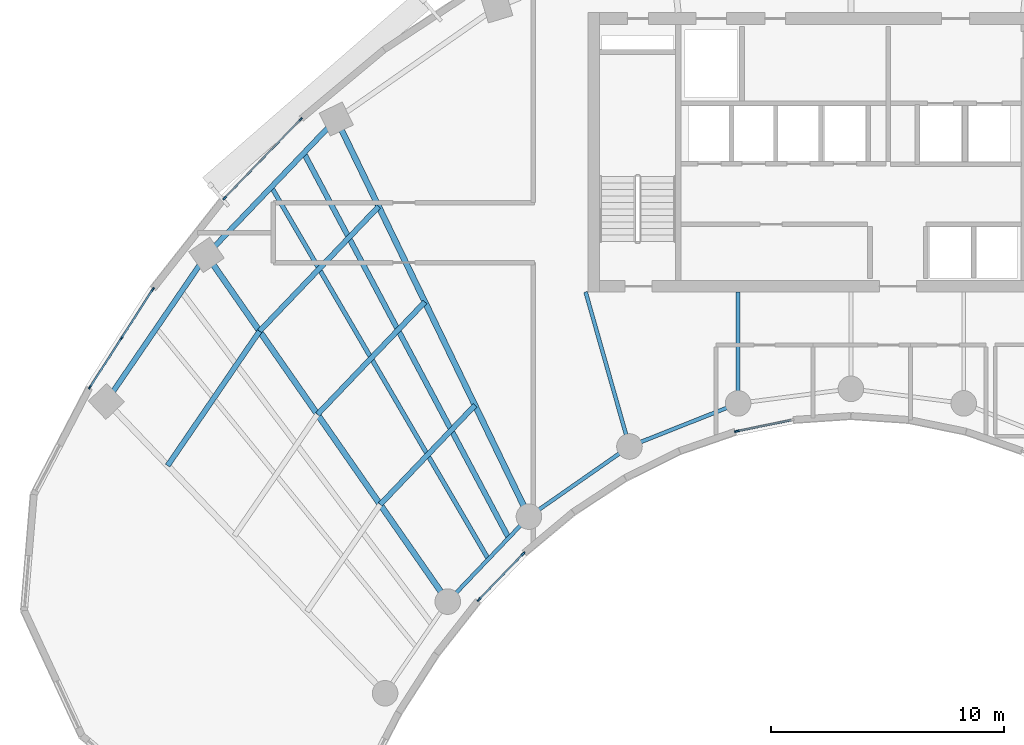
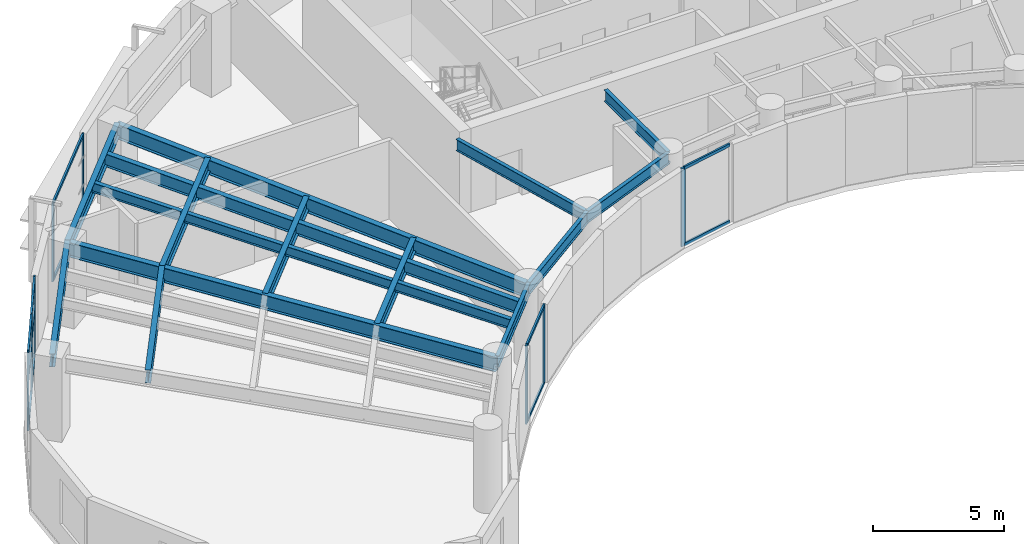
# One storey, part 2 of 13: 20 members, 15 beams, 4 elements without a shape of their own.
"""IFC4 building model written with IfcOpenShell, lengths in metres."""

import ifcopenshell
import ifcopenshell.guid

model = None  # the IFC model being written
_history = None  # IfcOwnerHistory: only IFC2X3 demands one
_inside = {}  # id of a spatial element -> (the spatial element, [elements in it])
_under = {}  # id of a project, library or spatial element -> (it, [spatial elements below it])
_declared = {}  # id of a project -> (the project, [libraries it declares])
_typed = {}  # id of a type object -> (the type object, [elements of that type])
_made_of = {}  # id of a material, layer set ... -> (it, [elements and type objects made of it])


def new_model(schema):
    """Start an empty IFC model of exactly this schema.

    Asked for "IFC4X3", IfcOpenShell would pick the latest addendum, in which some entities
    have other attributes; the version numbers below select the first issue.
    IFC2X3 requires an IfcOwnerHistory on every rooted entity: one is made here for all.
    """
    global model, _history
    if schema == "IFC4X3":
        model = ifcopenshell.file(schema_version=(4, 3, 0, 0))
    else:
        model = ifcopenshell.file(schema=schema)
    _inside.clear()
    _under.clear()
    _declared.clear()
    _typed.clear()
    _made_of.clear()
    _history = None
    if model.schema == "IFC2X3":
        org = make("IfcOrganization", Name="unknown")
        user = make(
            "IfcPersonAndOrganization",
            ThePerson=make("IfcPerson", FamilyName="unknown"),
            TheOrganization=org,
        )
        app = make(
            "IfcApplication",
            ApplicationDeveloper=org,
            Version="unknown",
            ApplicationFullName="unknown",
            ApplicationIdentifier="unknown",
        )
        _history = make(
            "IfcOwnerHistory",
            OwningUser=user,
            OwningApplication=app,
            ChangeAction="ADDED",
            CreationDate=0,
        )
    return model


def make(cls, **values):
    """One entity of the class cls with the attributes given. An attribute that is None is left unset."""
    return model.create_entity(
        cls, **{name: value for name, value in values.items() if value is not None}
    )


def rooted(cls, **values):
    """An entity with a GlobalId (a new one), such as an element, a storey or a relation."""
    return make(cls, GlobalId=ifcopenshell.guid.new(), OwnerHistory=_history, **values)


def si_unit(unit_type, name, prefix=None):
    """IfcSIUnit, for example si_unit("LENGTHUNIT", "METRE", prefix="MILLI")."""
    return make("IfcSIUnit", UnitType=unit_type, Prefix=prefix, Name=name)


def assignment(units):
    """IfcUnitAssignment: the units of a project."""
    return None if units is None else make("IfcUnitAssignment", Units=units)


def point(xyz):
    """IfcCartesianPoint."""
    return None if xyz is None else make("IfcCartesianPoint", Coordinates=xyz)


def direction(xyz):
    """IfcDirection."""
    return None if xyz is None else make("IfcDirection", DirectionRatios=xyz)


def frame(location, z_axis=None, x_axis=None):
    """IfcAxis2Placement3D, a coordinate frame: its origin and axes. An axis left out is left unset."""
    return make(
        "IfcAxis2Placement3D",
        Location=point(location),
        Axis=direction(z_axis),
        RefDirection=direction(x_axis),
    )


def frame_2d(location, x_axis=None):
    """IfcAxis2Placement2D, a coordinate frame in the plane: its origin and x axis."""
    return make(
        "IfcAxis2Placement2D", Location=point(location), RefDirection=direction(x_axis)
    )


def origin():
    """The frame at (0, 0, 0) with its axes left unset."""
    return frame((0.0, 0.0, 0.0))


def origin_2d():
    """The frame at (0, 0) in the plane with its x axis left unset."""
    return frame_2d((0.0, 0.0))


def place(relative_to, where):
    """IfcLocalPlacement: puts the frame where relative to a parent placement (None: the world)."""
    return make(
        "IfcLocalPlacement", PlacementRelTo=relative_to, RelativePlacement=where
    )


def context(
    kind, dimensions, precision=None, world=None, true_north=None, identifier=None
):
    """IfcGeometricRepresentationContext, for example the 3D "Model" context."""
    return make(
        "IfcGeometricRepresentationContext",
        ContextIdentifier=identifier,
        ContextType=kind,
        CoordinateSpaceDimension=dimensions,
        Precision=precision,
        WorldCoordinateSystem=world,
        TrueNorth=true_north,
    )


def subcontext(parent, identifier, kind, view, scale=None):
    """IfcGeometricRepresentationSubContext, for example "Body" below "Model"."""
    return make(
        "IfcGeometricRepresentationSubContext",
        ContextIdentifier=identifier,
        ContextType=kind,
        ParentContext=parent,
        TargetScale=scale,
        TargetView=view,
    )


def project(units=None, contexts=None):
    """IfcProject with its units and contexts."""
    return rooted(
        "IfcProject",
        Name="project",
        RepresentationContexts=contexts,
        UnitsInContext=assignment(units),
    )


def spatial(cls, under=None, at=None, **own):
    """A site, building, storey or space (cls), placed at a placement, below another one or the project."""
    s = rooted(cls, ObjectPlacement=at, **own)
    if under is not None:
        _under.setdefault(under.id(), (under, []))[1].append(s)
    return s


def profile(cls, at=None, kind="AREA", **sizes):
    """A parametric profile (cls). Its sizes go by their IFC names, for example OverallWidth=200.0."""
    return make(cls, ProfileType=kind, Position=at, **sizes)


def rectangle(**sizes):
    """IfcRectangleProfileDef."""
    return profile("IfcRectangleProfileDef", **sizes)


def i_section(**sizes):
    """IfcIShapeProfileDef."""
    return profile("IfcIShapeProfileDef", **sizes)


def extrude(swept, where, along, depth):
    """IfcExtrudedAreaSolid: the profile swept, set in the frame where, extruded along a direction by depth."""
    return make(
        "IfcExtrudedAreaSolid",
        SweptArea=swept,
        Position=where,
        ExtrudedDirection=direction(along),
        Depth=depth,
    )


def shape(context_of_items, identifier, shape_type, items):
    """IfcShapeRepresentation: the items that make up one representation, for example the "Body"."""
    return make(
        "IfcShapeRepresentation",
        ContextOfItems=context_of_items,
        RepresentationIdentifier=identifier,
        RepresentationType=shape_type,
        Items=items,
    )


def source(mapping_origin, context_of_items, identifier, shape_type, items):
    """IfcRepresentationMap: a shape defined once, which mapped items show again and again."""
    return make(
        "IfcRepresentationMap",
        MappingOrigin=mapping_origin,
        MappedRepresentation=shape(context_of_items, identifier, shape_type, items),
    )


def transform(
    local_origin,
    x_axis=None,
    y_axis=None,
    z_axis=None,
    scale=None,
    scale2=None,
    scale3=None,
    uniform=True,
):
    """IfcCartesianTransformationOperator3D, or its non-uniform kind. x_axis, y_axis, z_axis: its Axis1, 2, 3."""
    if uniform:
        return make(
            "IfcCartesianTransformationOperator3D",
            Axis1=direction(x_axis),
            Axis2=direction(y_axis),
            LocalOrigin=point(local_origin),
            Scale=scale,
            Axis3=direction(z_axis),
        )
    return make(
        "IfcCartesianTransformationOperator3DnonUniform",
        Axis1=direction(x_axis),
        Axis2=direction(y_axis),
        LocalOrigin=point(local_origin),
        Scale=scale,
        Axis3=direction(z_axis),
        Scale2=scale2,
        Scale3=scale3,
    )


def mapped(mapping_source, mapping_target):
    """IfcMappedItem: shows the shape of a source again, moved by a transform."""
    return make(
        "IfcMappedItem", MappingSource=mapping_source, MappingTarget=mapping_target
    )


def material(Name=None, Category=None):
    """IfcMaterial."""
    return make("IfcMaterial", Name=Name, Category=Category)


def layer(
    of_material, thickness, ventilated=None, Name=None, Category=None, Priority=None
):
    """IfcMaterialLayer: one layer of a wall or slab, of a material (None: an air gap)."""
    return make(
        "IfcMaterialLayer",
        Material=of_material,
        LayerThickness=thickness,
        IsVentilated=ventilated,
        Name=Name,
        Category=Category,
        Priority=Priority,
    )


def layer_set(layers, Name=None):
    """IfcMaterialLayerSet."""
    return make("IfcMaterialLayerSet", MaterialLayers=layers, LayerSetName=Name)


def material_profile(
    of_material, cross_section, Name=None, Category=None, Priority=None
):
    """IfcMaterialProfile: a cross section and its material."""
    return make(
        "IfcMaterialProfile",
        Name=Name,
        Material=of_material,
        Profile=cross_section,
        Priority=Priority,
        Category=Category,
    )


def profile_set(profiles, Name=None, composite=None):
    """IfcMaterialProfileSet."""
    return make(
        "IfcMaterialProfileSet",
        Name=Name,
        MaterialProfiles=profiles,
        CompositeProfile=composite,
    )


def made_of(thing, what):
    """Note that an element or type object is made of a material, layer set ...; save() writes the relation."""
    if what is not None:
        _made_of.setdefault(what.id(), (what, []))[1].append(thing)
    return thing


def type_object(cls, material=None, **own):
    """A type object (cls), such as IfcWallType, which elements share."""
    return made_of(rooted(cls, **own), material)


def type_shapes(of_type, sources):
    """Give a type object the sources (RepresentationMaps) that its elements show as mapped items."""
    of_type.RepresentationMaps = sources


def element(
    cls,
    number,
    at=None,
    inside=None,
    cuts=None,
    type_object=None,
    material=None,
    context=None,
    identifier="Body",
    shape_type=None,
    held_by="IfcProductDefinitionShape",
    body=None,
    shapes=None,
    **own,
):
    """One element of the class cls, such as IfcWall. Its Tag is "e" and its number.

    at: its placement. inside: the storey or other place that contains it. cuts: it is an
    opening in that element (IfcRelVoidsElement). A single representation is given by context,
    identifier, shape_type and body (its items); several are given by shapes. held_by: the class
    of the entity that holds the representations. save() writes the other relations.
    """
    e = rooted(cls, Tag="e%d" % number, ObjectPlacement=at, **own)
    if body is not None:
        shapes = [shape(context, identifier, shape_type, body)]
    if shapes is not None:
        e.Representation = make(held_by, Representations=shapes)
    if inside is not None:
        _inside.setdefault(inside.id(), (inside, []))[1].append(e)
    if cuts is not None:
        rooted(
            "IfcRelVoidsElement", RelatingBuildingElement=cuts, RelatedOpeningElement=e
        )
    if type_object is not None:
        _typed.setdefault(type_object.id(), (type_object, []))[1].append(e)
    return made_of(e, material)


def aggregate(whole, parts):
    """IfcRelAggregates: a whole, such as a stair, and the parts it consists of."""
    return rooted("IfcRelAggregates", RelatingObject=whole, RelatedObjects=parts)


def save(model, path):
    """Write the relations noted so far, then the file.

    IfcRelAggregates (storeys below a building ...), IfcRelContainedInSpatialStructure (elements
    in a storey), IfcRelDefinesByType, IfcRelAssociatesMaterial and IfcRelDeclares: one each for
    every whole, place, type object, material and project.
    """
    for whole, parts in _under.values():
        aggregate(whole, parts)
    for where, things in _inside.values():
        rooted(
            "IfcRelContainedInSpatialStructure",
            RelatedElements=things,
            RelatingStructure=where,
        )
    for kind, things in _typed.values():
        rooted("IfcRelDefinesByType", RelatedObjects=things, RelatingType=kind)
    for what, things in _made_of.values():
        rooted("IfcRelAssociatesMaterial", RelatedObjects=things, RelatingMaterial=what)
    for by, libraries in _declared.values():
        rooted("IfcRelDeclares", RelatingContext=by, RelatedDefinitions=libraries)
    model.write(path)


model = new_model("IFC4")

# Units and contexts
model_context = context("Model", 3, precision=1e-05, world=origin(), true_north=direction((0.0, 1.0)))
body_context = subcontext(model_context, "Body", "Model", "MODEL_VIEW")
ifc_project = project(units=[si_unit("LENGTHUNIT", "METRE"), si_unit("AREAUNIT", "SQUARE_METRE"), si_unit("VOLUMEUNIT", "CUBIC_METRE"), si_unit("PLANEANGLEUNIT", "RADIAN"), si_unit("MASSUNIT", "GRAM", prefix="KILO")], contexts=[model_context])

# Site, building, storey
site_placement = place(None, origin())
site = spatial("IfcSite", under=ifc_project, at=site_placement, CompositionType="ELEMENT")
building_placement = place(site_placement, origin())
building = spatial("IfcBuilding", under=site, at=building_placement, Name="Breltana Convention Tower", CompositionType="ELEMENT")
storey_placement = place(building_placement, frame((0.0, 0.0, 162.300048828125)))
storey = spatial("IfcBuildingStorey", under=building, at=storey_placement, Name="L39", CompositionType="ELEMENT", Elevation=162.300048828125)

# Beams
ifc_material_1 = material(Name="Steel ASTM A992 Grade 50", Category="steel")
ifc_material_profile_1 = material_profile(ifc_material_1, i_section(OverallWidth=0.25390625, OverallDepth=0.68798828125, WebThickness=0.01318359375, FlangeThickness=0.02099609375, at=origin_2d()), Name="W27X102")
ifc_profile_set_1 = profile_set([ifc_material_profile_1], Name="Steel ASTM A992 Grade 50")
beam_type_1 = type_object("IfcBeamType", Name="BM-RG-W27X102", PredefinedType="USERDEFINED", material=ifc_profile_set_1)
shared_shape_1 = source(origin(), body_context, "Body", "SweptSolid", [
    extrude(i_section(OverallWidth=0.25390625, OverallDepth=0.68798828125, WebThickness=0.01318359375, FlangeThickness=0.02099609375, at=origin_2d()), origin(), (0.0, 0.0, 1.0), 18.1484375),
])
beam_1_placement = place(storey_placement, frame((30.67724609375, 46.892333984375, 3.305908203125), z_axis=(-0.571207556098, 0.820805657788, 0.0), x_axis=(-0.820805657788, -0.571207556098, 0.0)))
element("IfcBeam", 1, at=beam_1_placement, inside=storey, type_object=beam_type_1, Name="L39 Radial Floor Girder R02", ObjectType="GIRDER", PredefinedType="USERDEFINED", context=body_context, shape_type="MappedRepresentation", body=[
    mapped(shared_shape_1, transform((0.0, 0.0, 0.0), scale=1.0)),
])
shared_shape_2 = source(origin(), body_context, "Body", "SweptSolid", [
    extrude(i_section(OverallWidth=0.25390625, OverallDepth=0.68798828125, WebThickness=0.01318359375, FlangeThickness=0.02099609375, at=origin_2d()), origin(), (0.0, 0.0, 1.0), 18.982421875),
])
beam_2_placement = place(storey_placement, frame((34.166259765625, 50.544921875, 3.305908203125), z_axis=(-0.436118560343, 0.89988921614, 0.0), x_axis=(-0.89988921614, -0.436118560343, 0.0)))
element("IfcBeam", 2, at=beam_2_placement, inside=storey, type_object=beam_type_1, Name="L39 Radial Floor Girder R03", ObjectType="GIRDER", PredefinedType="USERDEFINED", context=body_context, shape_type="MappedRepresentation", body=[
    mapped(shared_shape_2, transform((0.0, 0.0, 0.0), scale=1.0)),
])
ifc_material_profile_2 = material_profile(ifc_material_1, i_section(OverallWidth=0.166015625, OverallDepth=0.534912109375, WebThickness=0.01025390625, FlangeThickness=0.0166015625, at=origin_2d()), Name="W21X57")
ifc_profile_set_2 = profile_set([ifc_material_profile_2], Name="Steel ASTM A992 Grade 50")
beam_type_2 = type_object("IfcBeamType", Name="BM-BM-W21X57", PredefinedType="BEAM", material=ifc_profile_set_2)
shared_shape_3 = source(origin(), body_context, "Body", "SweptSolid", [
    extrude(i_section(OverallWidth=0.166015625, OverallDepth=0.534912109375, WebThickness=0.01025390625, FlangeThickness=0.0166015625, at=origin_2d()), origin(), (0.0, 0.0, 1.0), 6.904541015625),
])
type_shapes(beam_type_2, [shared_shape_3])
beam_3_placement = place(storey_placement, frame((36.60009765625, 60.199951171875, 3.382568359375), z_axis=(0.273006781054, -0.962012108811, 0.0), x_axis=(0.962012108811, 0.273006781054, 0.0)))
element("IfcBeam", 3, at=beam_3_placement, inside=storey, type_object=beam_type_2, Name="L39 South Core Tie Girder R04", PredefinedType="BEAM", context=body_context, shape_type="MappedRepresentation", body=[
    mapped(shared_shape_3, transform((0.0, 0.0, 0.0), scale=1.0)),
])
shared_shape_4 = source(origin(), body_context, "Body", "SweptSolid", [
    extrude(i_section(OverallWidth=0.166015625, OverallDepth=0.534912109375, WebThickness=0.01025390625, FlangeThickness=0.0166015625, at=origin_2d()), origin(), (0.0, 0.0, 1.0), 4.789306640625),
])
beam_4_placement = place(storey_placement, frame((43.153564453125, 60.199951171875, 3.382568359375), z_axis=(0.0, -1.0, 0.0), x_axis=(1.0, 0.0, 0.0)))
element("IfcBeam", 4, at=beam_4_placement, inside=storey, type_object=beam_type_2, Name="L39 South Core Tie Girder R05", PredefinedType="BEAM", context=body_context, shape_type="MappedRepresentation", body=[
    mapped(shared_shape_4, transform((0.0, 0.0, 0.0), scale=1.0)),
])
ifc_material_profile_3 = material_profile(ifc_material_1, i_section(OverallWidth=0.22802734375, OverallDepth=0.60791015625, WebThickness=0.01123046875, FlangeThickness=0.017333984375, at=origin_2d()), Name="W24X76")
ifc_profile_set_3 = profile_set([ifc_material_profile_3], Name="Steel ASTM A992 Grade 50")
beam_type_3 = type_object("IfcBeamType", Name="BM-SP-W24X76", PredefinedType="SPANDREL", material=ifc_profile_set_3)
shared_shape_5 = source(origin(), body_context, "Body", "SweptSolid", [
    extrude(i_section(OverallWidth=0.22802734375, OverallDepth=0.60791015625, WebThickness=0.01123046875, FlangeThickness=0.017333984375, at=origin_2d()), origin(), (0.0, 0.0, 1.0), 7.625),
])
type_shapes(beam_type_3, [shared_shape_5])
beam_5_placement = place(storey_placement, frame((16.0068359375, 55.494384765625, 3.345947265625), z_axis=(0.564452031902, 0.825465870694, 0.0), x_axis=(-0.825465870694, 0.564452031902, 0.0)))
element("IfcBeam", 5, at=beam_5_placement, inside=storey, type_object=beam_type_3, Name="L39 Outer Spandrel Beam 01", PredefinedType="SPANDREL", context=body_context, shape_type="MappedRepresentation", body=[
    mapped(shared_shape_5, transform((0.0, 0.0, 0.0), scale=1.0)),
])
shared_shape_6 = source(origin(), body_context, "Body", "SweptSolid", [
    extrude(i_section(OverallWidth=0.166015625, OverallDepth=0.534912109375, WebThickness=0.01025390625, FlangeThickness=0.0166015625, at=origin_2d()), origin(), (0.0, 0.0, 1.0), 5.05126953125),
])
beam_6_placement = place(storey_placement, frame((30.67724609375, 46.892333984375, 3.382568359375), z_axis=(0.690729753845, 0.7231129975, 0.0), x_axis=(-0.7231129975, 0.690729753845, 0.0)))
element("IfcBeam", 6, at=beam_6_placement, inside=storey, type_object=beam_type_2, Name="L39 Inner Ring Beam 02", PredefinedType="BEAM", context=body_context, shape_type="MappedRepresentation", body=[
    mapped(shared_shape_6, transform((0.0, 0.0, 0.0), scale=1.0)),
])
shared_shape_7 = source(origin(), body_context, "Body", "SweptSolid", [
    extrude(i_section(OverallWidth=0.22802734375, OverallDepth=0.60791015625, WebThickness=0.01123046875, FlangeThickness=0.017333984375, at=origin_2d()), origin(), (0.0, 0.0, 1.0), 8.073974609375),
])
beam_7_placement = place(storey_placement, frame((20.310791015625, 61.78857421875, 3.345947265625), z_axis=(0.69072885448, 0.723113856588, 0.0), x_axis=(-0.723113856588, 0.69072885448, 0.0)))
element("IfcBeam", 7, at=beam_7_placement, inside=storey, type_object=beam_type_3, Name="L39 Outer Spandrel Beam 02", PredefinedType="SPANDREL", context=body_context, shape_type="MappedRepresentation", body=[
    mapped(shared_shape_7, transform((0.0, 0.0, 0.0), scale=1.0)),
])
shared_shape_8 = source(origin(), body_context, "Body", "SweptSolid", [
    extrude(i_section(OverallWidth=0.166015625, OverallDepth=0.534912109375, WebThickness=0.01025390625, FlangeThickness=0.0166015625, at=origin_2d()), origin(), (0.0, 0.0, 1.0), 5.265869140625),
])
beam_8_placement = place(storey_placement, frame((34.166259765625, 50.544921875, 3.382568359375), z_axis=(0.820167429517, 0.572123577176, 0.0), x_axis=(-0.572123577176, 0.820167429517, 0.0)))
element("IfcBeam", 8, at=beam_8_placement, inside=storey, type_object=beam_type_2, Name="L39 Inner Ring Beam 03", PredefinedType="BEAM", context=body_context, shape_type="MappedRepresentation", body=[
    mapped(shared_shape_8, transform((0.0, 0.0, 0.0), scale=1.0)),
])
shared_shape_9 = source(origin(), body_context, "Body", "SweptSolid", [
    extrude(i_section(OverallWidth=0.166015625, OverallDepth=0.534912109375, WebThickness=0.01025390625, FlangeThickness=0.0166015625, at=origin_2d()), origin(), (0.0, 0.0, 1.0), 5.022705078125),
])
beam_9_placement = place(storey_placement, frame((38.485107421875, 53.5576171875, 3.382568359375), z_axis=(0.929458966248, 0.368925507469, 0.0), x_axis=(-0.368925507469, 0.929458966248, 0.0)))
element("IfcBeam", 9, at=beam_9_placement, inside=storey, type_object=beam_type_2, Name="L39 Inner Ring Beam 04", PredefinedType="BEAM", context=body_context, shape_type="MappedRepresentation", body=[
    mapped(shared_shape_9, transform((0.0, 0.0, 0.0), scale=1.0)),
])
ifc_material_profile_4 = material_profile(ifc_material_1, i_section(OverallWidth=0.22802734375, OverallDepth=0.60791015625, WebThickness=0.01123046875, FlangeThickness=0.017333984375, at=origin_2d()), Name="W24X76")
ifc_profile_set_4 = profile_set([ifc_material_profile_4], Name="Steel ASTM A992 Grade 50")
beam_type_4 = type_object("IfcBeamType", Name="BM-JSG-02", PredefinedType="JOIST", material=ifc_profile_set_4)
shared_shape_10 = source(origin(), body_context, "Body", "SweptSolid", [
    extrude(i_section(OverallWidth=0.22802734375, OverallDepth=0.60791015625, WebThickness=0.01123046875, FlangeThickness=0.017333984375, at=origin_2d()), origin(), (0.0, 0.0, 1.0), 6.997314453125),
])
beam_10_placement = place(storey_placement, frame((18.641845703125, 52.735595703125, 3.345947265625), z_axis=(0.564468756361, 0.825454434292, 0.0), x_axis=(-0.825454434292, 0.564468756361, 0.0)))
element("IfcBeam", 10, at=beam_10_placement, inside=storey, type_object=beam_type_4, Name="L39 Composite Floor Joist 01.3", PredefinedType="JOIST", context=body_context, shape_type="MappedRepresentation", body=[
    mapped(shared_shape_10, transform((0.0, 0.0, 0.0), scale=1.0)),
])
shared_shape_11 = source(origin(), body_context, "Body", "SweptSolid", [
    extrude(i_section(OverallWidth=0.22802734375, OverallDepth=0.60791015625, WebThickness=0.01123046875, FlangeThickness=0.017333984375, at=origin_2d()), origin(), (0.0, 0.0, 1.0), 5.8974609375),
])
beam_11_placement = place(storey_placement, frame((27.774658203125, 51.063232421875, 3.345947265625), z_axis=(0.690713978666, 0.723128065888, 0.0), x_axis=(-0.723128065888, 0.690713978666, 0.0)))
element("IfcBeam", 11, at=beam_11_placement, inside=storey, type_object=beam_type_4, Name="L39 Composite Floor Joist 02.1", PredefinedType="JOIST", context=body_context, shape_type="MappedRepresentation", body=[
    mapped(shared_shape_11, transform((0.0, 0.0, 0.0), scale=1.0)),
])
shared_shape_12 = source(origin(), body_context, "Body", "SweptSolid", [
    extrude(i_section(OverallWidth=0.22802734375, OverallDepth=0.60791015625, WebThickness=0.01123046875, FlangeThickness=0.017333984375, at=origin_2d()), origin(), (0.0, 0.0, 1.0), 6.68359375),
])
beam_12_placement = place(storey_placement, frame((25.079345703125, 54.936279296875, 3.345947265625), z_axis=(0.690720705885, 0.723121640156, 0.0), x_axis=(-0.723121640156, 0.690720705885, 0.0)))
element("IfcBeam", 12, at=beam_12_placement, inside=storey, type_object=beam_type_4, Name="L39 Composite Floor Joist 02.2", PredefinedType="JOIST", context=body_context, shape_type="MappedRepresentation", body=[
    mapped(shared_shape_12, transform((0.0, 0.0, 0.0), scale=1.0)),
])
shared_shape_13 = source(origin(), body_context, "Body", "SweptSolid", [
    extrude(i_section(OverallWidth=0.22802734375, OverallDepth=0.60791015625, WebThickness=0.01123046875, FlangeThickness=0.017333984375, at=origin_2d()), origin(), (0.0, 0.0, 1.0), 7.40869140625),
])
beam_13_placement = place(storey_placement, frame((22.591552734375, 58.511474609375, 3.345947265625), z_axis=(0.690724936208, 0.723117599358, 0.0), x_axis=(-0.723117599358, 0.690724936208, 0.0)))
element("IfcBeam", 13, at=beam_13_placement, inside=storey, type_object=beam_type_4, Name="L39 Composite Floor Joist 02.3", PredefinedType="JOIST", context=body_context, shape_type="MappedRepresentation", body=[
    mapped(shared_shape_13, transform((0.0, 0.0, 0.0), scale=1.0)),
])
ifc_material_profile_5 = material_profile(ifc_material_1, i_section(OverallWidth=0.19091796875, OverallDepth=0.4599609375, WebThickness=0.010009765625, FlangeThickness=0.01611328125, at=origin_2d()), Name="W18X55")
ifc_profile_set_5 = profile_set([ifc_material_profile_5], Name="Steel ASTM A992 Grade 50")
beam_type_5 = type_object("IfcBeamType", Name="BM-JSG-07", PredefinedType="JOIST", material=ifc_profile_set_5)
shared_shape_14 = source(origin(), body_context, "Body", "SweptSolid", [
    extrude(i_section(OverallWidth=0.19091796875, OverallDepth=0.4599609375, WebThickness=0.010009765625, FlangeThickness=0.01611328125, at=origin_2d()), origin(), (0.0, 0.0, 1.0), 18.50830078125),
])
beam_14_placement = place(storey_placement, frame((32.421630859375, 48.71875, 3.419921875), z_axis=(-0.50368319637, 0.863888440537, 0.0), x_axis=(-0.863888440537, -0.50368319637, 0.0)))
element("IfcBeam", 14, at=beam_14_placement, inside=storey, type_object=beam_type_5, Name="L39 Mid-Bay Radial Trimmer 02", PredefinedType="JOIST", context=body_context, shape_type="MappedRepresentation", body=[
    mapped(shared_shape_14, transform((0.0, 0.0, 0.0), scale=1.0)),
])
shared_shape_15 = source(origin(), body_context, "Body", "SweptSolid", [
    extrude(i_section(OverallWidth=0.22802734375, OverallDepth=0.60791015625, WebThickness=0.01123046875, FlangeThickness=0.017333984375, at=origin_2d()), origin(), (0.0, 0.0, 1.0), 18.731689453125),
])
beam_15_placement = place(storey_placement, frame((33.2939453125, 49.6318359375, 3.345947265625), z_axis=(-0.469820250451, 0.882762104004, 0.0), x_axis=(-0.882762104004, -0.469820250451, 0.0)))
element("IfcBeam", 15, at=beam_15_placement, inside=storey, type_object=beam_type_4, Name="L39 Quarter-Bay Radial Trimmer 02", PredefinedType="JOIST", context=body_context, shape_type="MappedRepresentation", body=[
    mapped(shared_shape_15, transform((0.0, 0.0, 0.0), scale=1.0)),
])

# Curtain wall, member
ifc_material_2 = material(Name="Aluminium Anodised Bronze Frame", Category="aluminium")
ifc_layer_1 = layer(ifc_material_2, 0.18994140625, Name="Aluminium Anodised Bronze Frame")
ifc_layer_set_1 = layer_set([ifc_layer_1], Name="Aluminium Anodised Bronze Frame")
curtain_wall_type_1 = type_object("IfcCurtainWallType", Name="CW-SYS-1", PredefinedType="NOTDEFINED", material=ifc_layer_set_1)
curtain_wall_1_placement = place(storey_placement, origin())
curtain_wall_1 = element("IfcCurtainWall", 16, at=curtain_wall_1_placement, inside=storey, type_object=curtain_wall_type_1, Name="L39 inner south-court glazing 4", PredefinedType="NOTDEFINED")
ifc_material_3 = material(Name="Aluminium Anodised Bronze", Category="aluminium")
ifc_material_profile_6 = material_profile(ifc_material_3, rectangle(XDim=0.080078125, YDim=0.199951171875, at=origin_2d()), Name="CWM-80X200")
ifc_profile_set_6 = profile_set([ifc_material_profile_6], Name="Aluminium Anodised Bronze")
member_type_1 = type_object("IfcMemberType", Name="CWM-200", PredefinedType="MULLION", material=ifc_profile_set_6)
shared_shape_16 = source(origin(), body_context, "Body", "SweptSolid", [
    extrude(rectangle(XDim=0.080078125, YDim=0.199951171875, at=origin_2d()), origin(), (0.0, 0.0, 1.0), 3.64990234375),
])
member_1_placement = place(storey_placement, frame((43.0966796875, 54.212646484375, 0.0), z_axis=(0.0, 0.0, 1.0), x_axis=(0.200861178299, -0.979619715529, 0.0)))
member_1 = element("IfcMember", 17, at=member_1_placement, type_object=member_type_1, Name="CW-01 mullion 2", PredefinedType="MULLION", context=body_context, shape_type="MappedRepresentation", body=[
    mapped(shared_shape_16, transform((0.0, 0.0, 0.0), scale=1.0)),
])

# Curtain wall, members
curtain_wall_2_placement = place(storey_placement, origin())
curtain_wall_2 = element("IfcCurtainWall", 18, at=curtain_wall_2_placement, inside=storey, type_object=curtain_wall_type_1, Name="L39 inner south-court glazing 5", PredefinedType="NOTDEFINED")
member_2_placement = place(storey_placement, frame((33.917236328125, 48.944580078125, 0.0), z_axis=(0.0, 0.0, 1.0), x_axis=(0.719389819694, -0.694606570168, 0.0)))
member_2 = element("IfcMember", 19, at=member_2_placement, type_object=member_type_1, Name="CW-01 mullion 1", PredefinedType="MULLION", context=body_context, shape_type="MappedRepresentation", body=[
    mapped(shared_shape_16, transform((0.0, 0.0, 0.0), scale=1.0)),
])
member_3_placement = place(storey_placement, frame((32.019287109375, 46.978759765625, 0.0), z_axis=(0.0, 0.0, 1.0), x_axis=(0.719389819694, -0.694606570168, 0.0)))
member_3 = element("IfcMember", 20, at=member_3_placement, type_object=member_type_1, Name="CW-01 mullion 2", PredefinedType="MULLION", context=body_context, shape_type="MappedRepresentation", body=[
    mapped(shared_shape_16, transform((0.0, 0.0, 0.0), scale=1.0)),
])

ifc_layer_2 = layer(ifc_material_2, 0.2099609375, Name="Aluminium Anodised Bronze Frame")
ifc_layer_set_2 = layer_set([ifc_layer_2], Name="Aluminium Anodised Bronze Frame")
curtain_wall_type_2 = type_object("IfcCurtainWallType", Name="CW-SYS-3", PredefinedType="NOTDEFINED", material=ifc_layer_set_2)
curtain_wall_3_placement = place(storey_placement, origin())
curtain_wall_3 = element("IfcCurtainWall", 21, at=curtain_wall_3_placement, inside=storey, type_object=curtain_wall_type_2, Name="L39 outer double-skin inner glazing 1", PredefinedType="NOTDEFINED")
ifc_material_profile_7 = material_profile(ifc_material_3, rectangle(XDim=0.070068359375, YDim=0.175048828125, at=origin_2d()), Name="CWM-70X175")
ifc_profile_set_7 = profile_set([ifc_material_profile_7], Name="Aluminium Anodised Bronze")
member_type_2 = type_object("IfcMemberType", Name="CWM-175", PredefinedType="MULLION", material=ifc_profile_set_7)
shared_shape_17 = source(origin(), body_context, "Body", "SweptSolid", [
    extrude(rectangle(XDim=0.070068359375, YDim=0.175048828125, at=origin_2d()), origin(), (0.0, 0.0, 1.0), 3.64990234375),
])
member_4_placement = place(storey_placement, frame((15.304443359375, 56.10498046875, 0.0), z_axis=(0.0, 0.0, 1.0), x_axis=(-0.841554203529, 0.54017267843, 0.0)))
member_4 = element("IfcMember", 22, at=member_4_placement, type_object=member_type_2, Name="CW-03 mullion 1", PredefinedType="MULLION", context=body_context, shape_type="MappedRepresentation", body=[
    mapped(shared_shape_17, transform((0.0, 0.0, 0.0), scale=1.0)),
])
member_5_placement = place(storey_placement, frame((16.6533203125, 58.20654296875, 0.0), z_axis=(0.0, 0.0, 1.0), x_axis=(-0.841554203529, 0.54017267843, 0.0)))
member_5 = element("IfcMember", 23, at=member_5_placement, type_object=member_type_2, Name="CW-03 mullion 2", PredefinedType="MULLION", context=body_context, shape_type="MappedRepresentation", body=[
    mapped(shared_shape_17, transform((0.0, 0.0, 0.0), scale=1.0)),
])
member_6_placement = place(storey_placement, frame((18.00244140625, 60.308349609375, 0.0), z_axis=(0.0, 0.0, 1.0), x_axis=(-0.841554203529, 0.54017267843, 0.0)))
member_6 = element("IfcMember", 24, at=member_6_placement, type_object=member_type_2, Name="CW-03 mullion 3", PredefinedType="MULLION", context=body_context, shape_type="MappedRepresentation", body=[
    mapped(shared_shape_17, transform((0.0, 0.0, 0.0), scale=1.0)),
])

curtain_wall_4_placement = place(storey_placement, origin())
curtain_wall_4 = element("IfcCurtainWall", 25, at=curtain_wall_4_placement, inside=storey, type_object=curtain_wall_type_2, Name="L39 outer double-skin inner glazing 2", PredefinedType="NOTDEFINED")
member_7_placement = place(storey_placement, frame((21.087890625, 64.2314453125, 0.0), z_axis=(0.0, 0.0, 1.0), x_axis=(-0.719393523398, 0.694602734297, 0.0)))
member_7 = element("IfcMember", 26, at=member_7_placement, type_object=member_type_2, Name="CW-03 mullion 1", PredefinedType="MULLION", context=body_context, shape_type="MappedRepresentation", body=[
    mapped(shared_shape_17, transform((0.0, 0.0, 0.0), scale=1.0)),
])
member_8_placement = place(storey_placement, frame((24.356689453125, 67.616943359375, 0.0), z_axis=(0.0, 0.0, 1.0), x_axis=(-0.719393523398, 0.694602734297, 0.0)))
member_8 = element("IfcMember", 27, at=member_8_placement, type_object=member_type_2, Name="CW-03 mullion 2", PredefinedType="MULLION", context=body_context, shape_type="MappedRepresentation", body=[
    mapped(shared_shape_17, transform((0.0, 0.0, 0.0), scale=1.0)),
])

# Member
ifc_material_profile_8 = material_profile(ifc_material_3, rectangle(XDim=0.080078125, YDim=0.139892578125, at=origin_2d()), Name="CWT-80X140")
ifc_profile_set_8 = profile_set([ifc_material_profile_8], Name="Aluminium Anodised Bronze")
member_type_3 = type_object("IfcMemberType", Name="CWT-140", PredefinedType="USERDEFINED", material=ifc_profile_set_8)
shared_shape_18 = source(origin(), body_context, "Body", "SweptSolid", [
    extrude(rectangle(XDim=0.080078125, YDim=0.139892578125, at=origin_2d()), origin(), (0.0, 0.0, 1.0), 2.427490234375),
])
member_9_placement = place(storey_placement, frame((15.3232421875, 56.134521484375, 0.0400390625), z_axis=(0.540203388332, 0.841534490817, 0.0), x_axis=(-0.841534490817, 0.540203388332, 0.0)))
member_9 = element("IfcMember", 28, at=member_9_placement, type_object=member_type_3, Name="CW-03 transom 1.1", ObjectType="TRANSOM", PredefinedType="USERDEFINED", context=body_context, shape_type="MappedRepresentation", body=[
    mapped(shared_shape_18, transform((0.0, 0.0, 0.0), scale=1.0)),
])

member_10_placement = place(storey_placement, frame((15.3232421875, 56.134521484375, 2.37255859375), z_axis=(0.540203388332, 0.841534490817, 0.0), x_axis=(-0.841534490817, 0.540203388332, 0.0)))
member_10 = element("IfcMember", 29, at=member_10_placement, type_object=member_type_3, Name="CW-03 transom 1.2", ObjectType="TRANSOM", PredefinedType="USERDEFINED", context=body_context, shape_type="MappedRepresentation", body=[
    mapped(shared_shape_18, transform((0.0, 0.0, 0.0), scale=1.0)),
])

member_11_placement = place(storey_placement, frame((15.3232421875, 56.134521484375, 3.60986328125), z_axis=(0.540203388332, 0.841534490817, 0.0), x_axis=(-0.841534490817, 0.540203388332, 0.0)))
member_11 = element("IfcMember", 30, at=member_11_placement, type_object=member_type_3, Name="CW-03 transom 1.3", ObjectType="TRANSOM", PredefinedType="USERDEFINED", context=body_context, shape_type="MappedRepresentation", body=[
    mapped(shared_shape_18, transform((0.0, 0.0, 0.0), scale=1.0)),
])

shared_shape_19 = source(origin(), body_context, "Body", "SweptSolid", [
    extrude(rectangle(XDim=0.080078125, YDim=0.139892578125, at=origin_2d()), origin(), (0.0, 0.0, 1.0), 2.42724609375),
])
member_12_placement = place(storey_placement, frame((16.67236328125, 58.236083984375, 0.0400390625), z_axis=(0.540132155308, 0.841580212934, 0.0), x_axis=(-0.841580212934, 0.540132155308, 0.0)))
member_12 = element("IfcMember", 31, at=member_12_placement, type_object=member_type_3, Name="CW-03 transom 2.1", ObjectType="TRANSOM", PredefinedType="USERDEFINED", context=body_context, shape_type="MappedRepresentation", body=[
    mapped(shared_shape_19, transform((0.0, 0.0, 0.0), scale=1.0)),
])

member_13_placement = place(storey_placement, frame((16.67236328125, 58.236083984375, 2.37255859375), z_axis=(0.540132155308, 0.841580212934, 0.0), x_axis=(-0.841580212934, 0.540132155308, 0.0)))
member_13 = element("IfcMember", 32, at=member_13_placement, type_object=member_type_3, Name="CW-03 transom 2.2", ObjectType="TRANSOM", PredefinedType="USERDEFINED", context=body_context, shape_type="MappedRepresentation", body=[
    mapped(shared_shape_19, transform((0.0, 0.0, 0.0), scale=1.0)),
])

member_14_placement = place(storey_placement, frame((16.67236328125, 58.236083984375, 3.60986328125), z_axis=(0.540132155308, 0.841580212934, 0.0), x_axis=(-0.841580212934, 0.540132155308, 0.0)))
member_14 = element("IfcMember", 33, at=member_14_placement, type_object=member_type_3, Name="CW-03 transom 2.3", ObjectType="TRANSOM", PredefinedType="USERDEFINED", context=body_context, shape_type="MappedRepresentation", body=[
    mapped(shared_shape_19, transform((0.0, 0.0, 0.0), scale=1.0)),
])

aggregate(curtain_wall_3, [member_4, member_5, member_6, member_9, member_10, member_11, member_12, member_13, member_14])

shared_shape_20 = source(origin(), body_context, "Body", "SweptSolid", [
    extrude(rectangle(XDim=0.080078125, YDim=0.139892578125, at=origin_2d()), origin(), (0.0, 0.0, 1.0), 4.635986328125),
])
member_15_placement = place(storey_placement, frame((21.1123046875, 64.256591796875, 0.0400390625), z_axis=(0.694569137919, 0.719425960506, 0.0), x_axis=(-0.719425960506, 0.694569137919, 0.0)))
member_15 = element("IfcMember", 34, at=member_15_placement, type_object=member_type_3, Name="CW-03 transom 1.1", ObjectType="TRANSOM", PredefinedType="USERDEFINED", context=body_context, shape_type="MappedRepresentation", body=[
    mapped(shared_shape_20, transform((0.0, 0.0, 0.0), scale=1.0)),
])

member_16_placement = place(storey_placement, frame((21.1123046875, 64.256591796875, 3.60986328125), z_axis=(0.694569137919, 0.719425960506, 0.0), x_axis=(-0.719425960506, 0.694569137919, 0.0)))
member_16 = element("IfcMember", 35, at=member_16_placement, type_object=member_type_3, Name="CW-03 transom 1.2", ObjectType="TRANSOM", PredefinedType="USERDEFINED", context=body_context, shape_type="MappedRepresentation", body=[
    mapped(shared_shape_20, transform((0.0, 0.0, 0.0), scale=1.0)),
])

aggregate(curtain_wall_4, [member_7, member_8, member_15, member_16])

shared_shape_21 = source(origin(), body_context, "Body", "SweptSolid", [
    extrude(rectangle(XDim=0.080078125, YDim=0.139892578125, at=origin_2d()), origin(), (0.0, 0.0, 1.0), 2.331298828125),
])
member_17_placement = place(storey_placement, frame((45.419677734375, 54.688720703125, 0.0400390625), z_axis=(-0.979618555343, -0.200866836556, 0.0), x_axis=(0.200866836556, -0.979618555343, 0.0)))
member_17 = element("IfcMember", 36, at=member_17_placement, type_object=member_type_3, Name="CW-01 transom 1.1", ObjectType="TRANSOM", PredefinedType="USERDEFINED", context=body_context, shape_type="MappedRepresentation", body=[
    mapped(shared_shape_21, transform((0.0, 0.0, 0.0), scale=1.0)),
])

member_18_placement = place(storey_placement, frame((45.419677734375, 54.688720703125, 3.60986328125), z_axis=(-0.979618555343, -0.200866836556, 0.0), x_axis=(0.200866836556, -0.979618555343, 0.0)))
member_18 = element("IfcMember", 37, at=member_18_placement, type_object=member_type_3, Name="CW-01 transom 1.2", ObjectType="TRANSOM", PredefinedType="USERDEFINED", context=body_context, shape_type="MappedRepresentation", body=[
    mapped(shared_shape_21, transform((0.0, 0.0, 0.0), scale=1.0)),
])

aggregate(curtain_wall_1, [member_1, member_17, member_18])

shared_shape_22 = source(origin(), body_context, "Body", "SweptSolid", [
    extrude(rectangle(XDim=0.080078125, YDim=0.139892578125, at=origin_2d()), origin(), (0.0, 0.0, 1.0), 2.652587890625),
])
member_19_placement = place(storey_placement, frame((33.8896484375, 48.915771484375, 0.0400390625), z_axis=(-0.694619151454, -0.719377671626, 0.0), x_axis=(0.719377671626, -0.694619151454, 0.0)))
member_19 = element("IfcMember", 38, at=member_19_placement, type_object=member_type_3, Name="CW-01 transom 1.1", ObjectType="TRANSOM", PredefinedType="USERDEFINED", context=body_context, shape_type="MappedRepresentation", body=[
    mapped(shared_shape_22, transform((0.0, 0.0, 0.0), scale=1.0)),
])

member_20_placement = place(storey_placement, frame((33.8896484375, 48.915771484375, 3.60986328125), z_axis=(-0.694619151454, -0.719377671626, 0.0), x_axis=(0.719377671626, -0.694619151454, 0.0)))
member_20 = element("IfcMember", 39, at=member_20_placement, type_object=member_type_3, Name="CW-01 transom 1.2", ObjectType="TRANSOM", PredefinedType="USERDEFINED", context=body_context, shape_type="MappedRepresentation", body=[
    mapped(shared_shape_22, transform((0.0, 0.0, 0.0), scale=1.0)),
])

aggregate(curtain_wall_2, [member_2, member_3, member_19, member_20])

save(model, "model.ifc")
